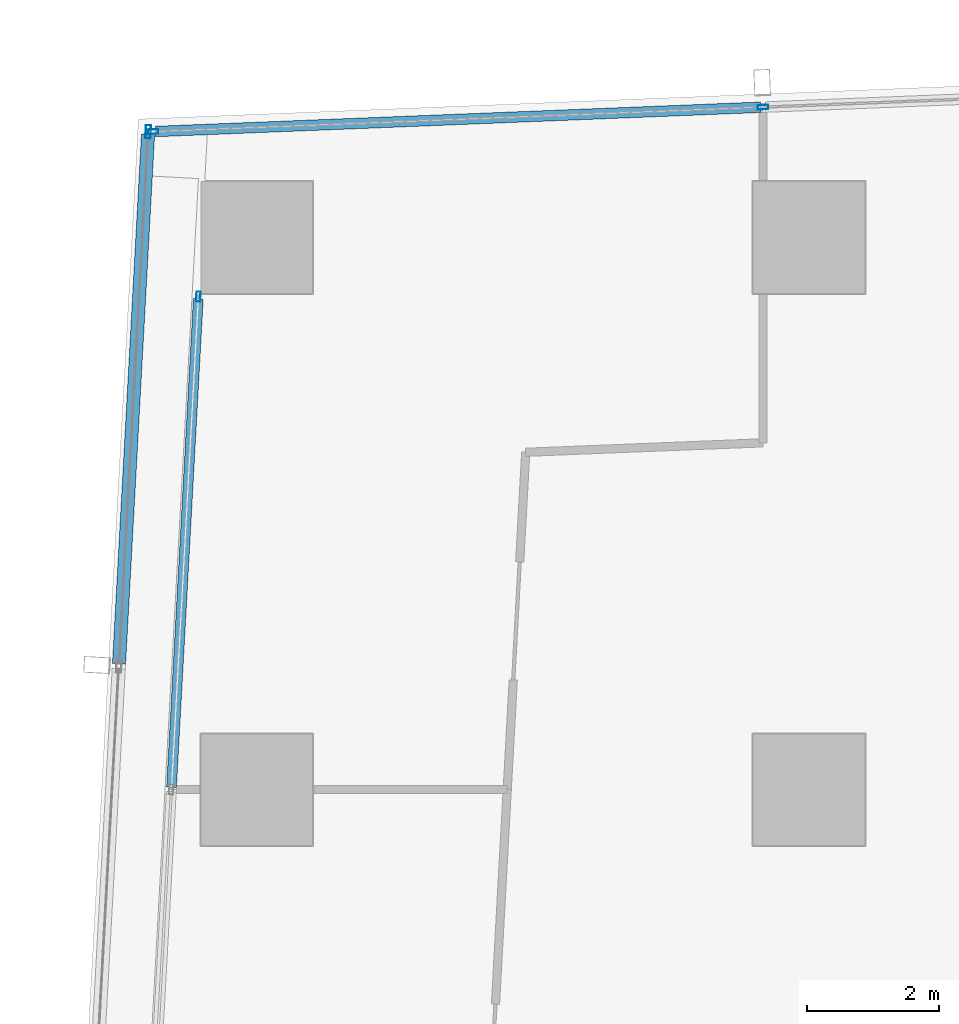
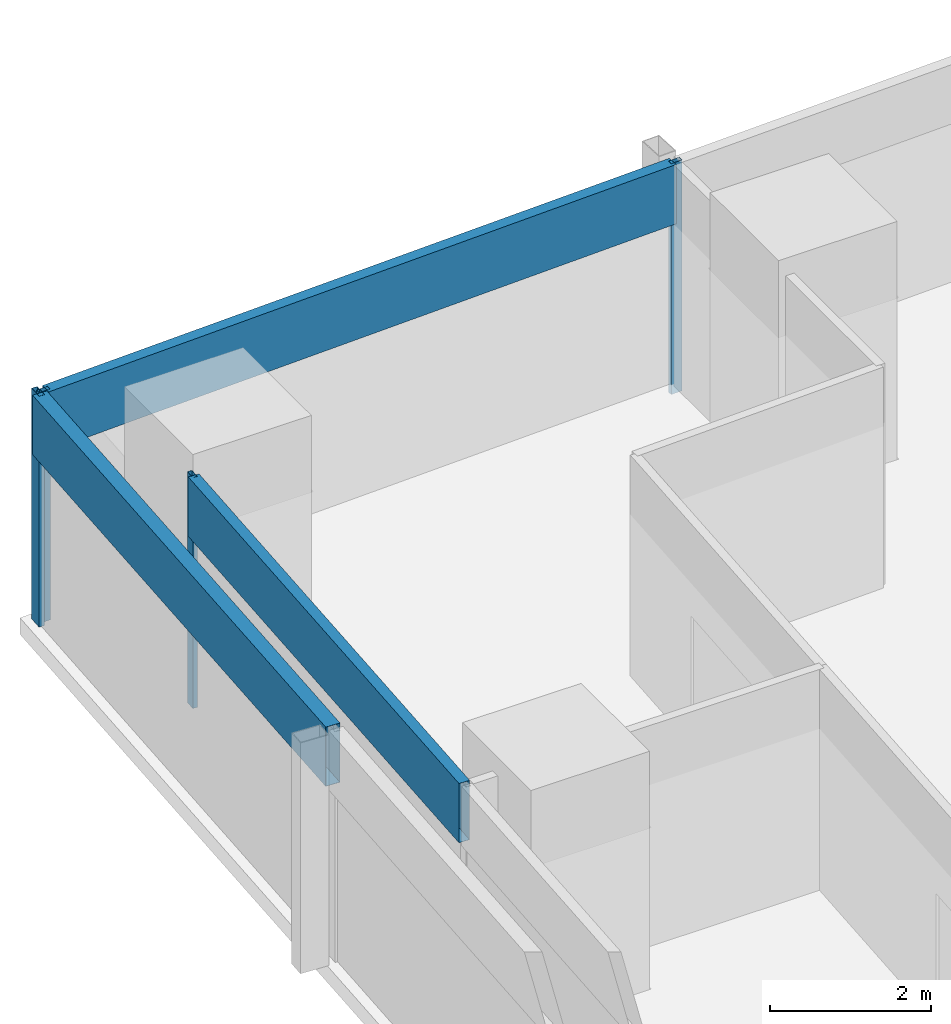
# One storey, part 15 of 40: 7 members, 3 elements without a shape of their own.
"""IFC4 building model written with IfcOpenShell, lengths in metres."""

from ifc_helpers import new_model, si_unit, direction, frame, origin, origin_2d, place, context, subcontext, project, spatial, hollow_rectangle, extrude, material, material_profile, profile_set, type_object, element, aggregate, save


model = new_model("IFC4")

# Units and contexts
model_context = context("Model", 3, precision=1e-05, world=origin(), true_north=direction((0.0, 1.0)))
body_context = subcontext(model_context, "Body", "Model", "MODEL_VIEW")
ifc_project = project(units=[si_unit("LENGTHUNIT", "METRE"), si_unit("AREAUNIT", "SQUARE_METRE"), si_unit("VOLUMEUNIT", "CUBIC_METRE"), si_unit("PLANEANGLEUNIT", "RADIAN"), si_unit("MASSUNIT", "GRAM", prefix="KILO")], contexts=[model_context])

# Site, building, storey
site_placement = place(None, origin())
site = spatial("IfcSite", under=ifc_project, at=site_placement, CompositionType="ELEMENT")
building_placement = place(site_placement, origin())
building = spatial("IfcBuilding", under=site, at=building_placement, Name="Rekha Terrace Tower", CompositionType="ELEMENT")
storey_placement = place(building_placement, frame((0.0, 0.0, 136.550048828125)))
storey = spatial("IfcBuildingStorey", under=building, at=storey_placement, Name="L34", CompositionType="ELEMENT", Elevation=136.550048828125)

# Curtain wall, members
ifc_material_1 = material(Name="Aluminium framing", Category="aluminium")
curtain_wall_type_1 = type_object("IfcCurtainWallType", Name="CW1 double skin inner glazing", PredefinedType="USERDEFINED", material=ifc_material_1)
curtain_wall_1_placement = place(storey_placement, origin())
curtain_wall_1 = element("IfcCurtainWall", 1, at=curtain_wall_1_placement, inside=storey, type_object=curtain_wall_type_1, Name="CW1 double skin inner glazing", ObjectType="DOUBLE SKIN INNER GLAZING", PredefinedType="USERDEFINED")
ifc_material_2 = material(Name="Aluminium mullion section", Category="aluminium")
ifc_material_profile_1 = material_profile(ifc_material_2, hollow_rectangle(XDim=0.06494140625, YDim=0.14990234375, WallThickness=0.00390625, at=origin_2d()), Name="AL RHS 65x150")
ifc_profile_set_1 = profile_set([ifc_material_profile_1], Name="Aluminium mullion section")
member_type_1 = type_object("IfcMemberType", Name="CW1 mullion RHS 65 x 150", PredefinedType="MULLION", material=ifc_profile_set_1)
member_1_placement = place(storey_placement, frame((7.513427734375, 57.8994140625, 0.0), z_axis=(0.0, 0.0, 1.0), x_axis=(0.99850051318, -0.054742352707, 0.0)))
member_1 = element("IfcMember", 2, at=member_1_placement, type_object=member_type_1, Name="CW1 mullion 1", PredefinedType="MULLION", context=body_context, shape_type="SweptSolid", body=[
    extrude(hollow_rectangle(XDim=0.06494140625, YDim=0.14990234375, WallThickness=0.00390625, at=origin_2d()), origin(), (0.0, 0.0, 1.0), 3.5),
])
ifc_material_3 = material(Name="Insulated aluminium spandrel box", Category="aluminium")
ifc_material_profile_2 = material_profile(ifc_material_3, hollow_rectangle(XDim=0.14990234375, YDim=0.89990234375, WallThickness=0.0029296875, at=origin_2d()), Name="AL SPANDREL BOX 150x900")
ifc_profile_set_2 = profile_set([ifc_material_profile_2], Name="Insulated aluminium spandrel box")
member_type_2 = type_object("IfcMemberType", Name="CW1 spandrel transom 150 x 900", PredefinedType="USERDEFINED", material=ifc_profile_set_2)
member_2_placement = place(storey_placement, frame((7.51171875, 57.866943359375, 3.050048828125), z_axis=(-0.054743356699, -0.998500458136, 0.0), x_axis=(0.998500458136, -0.054743356699, 0.0)))
member_2 = element("IfcMember", 3, at=member_2_placement, type_object=member_type_2, Name="CW1 spandrel transom 1", ObjectType="TRANSOM", PredefinedType="USERDEFINED", context=body_context, shape_type="SweptSolid", body=[
    extrude(hollow_rectangle(XDim=0.14990234375, YDim=0.89990234375, WallThickness=0.0029296875, at=origin_2d()), origin(), (0.0, 0.0, 1.0), 7.443359375),
])
aggregate(curtain_wall_1, [member_1, member_2])

curtain_wall_type_2 = type_object("IfcCurtainWallType", Name="CW2 double skin outer glazing", PredefinedType="USERDEFINED", material=ifc_material_1)
curtain_wall_2_placement = place(storey_placement, origin())
curtain_wall_2 = element("IfcCurtainWall", 4, at=curtain_wall_2_placement, inside=storey, type_object=curtain_wall_type_2, Name="CW2 double skin outer glazing", ObjectType="DOUBLE SKIN OUTER GLAZING", PredefinedType="USERDEFINED")
ifc_material_profile_3 = material_profile(ifc_material_2, hollow_rectangle(XDim=0.080078125, YDim=0.199951171875, WallThickness=0.00390625, at=origin_2d()), Name="AL RHS 80x200")
ifc_profile_set_3 = profile_set([ifc_material_profile_3], Name="Aluminium mullion section")
member_type_3 = type_object("IfcMemberType", Name="CW2 mullion RHS 80 x 200", PredefinedType="MULLION", material=ifc_profile_set_3)
member_3_placement = place(storey_placement, frame((6.74951171875, 60.406005859375, 0.0), z_axis=(0.0, 0.0, 1.0), x_axis=(0.99850051318, -0.054742352707, 0.0)))
member_3 = element("IfcMember", 5, at=member_3_placement, type_object=member_type_3, Name="CW2 mullion 1", PredefinedType="MULLION", context=body_context, shape_type="SweptSolid", body=[
    extrude(hollow_rectangle(XDim=0.080078125, YDim=0.199951171875, WallThickness=0.00390625, at=origin_2d()), origin(), (0.0, 0.0, 1.0), 3.5),
])
ifc_material_profile_4 = material_profile(ifc_material_3, hollow_rectangle(XDim=0.199951171875, YDim=0.89990234375, WallThickness=0.0029296875, at=origin_2d()), Name="AL SPANDREL BOX 200x900")
ifc_profile_set_4 = profile_set([ifc_material_profile_4], Name="Insulated aluminium spandrel box")
member_type_4 = type_object("IfcMemberType", Name="CW2 spandrel transom 200 x 900", PredefinedType="USERDEFINED", material=ifc_profile_set_4)
member_4_placement = place(storey_placement, frame((6.747314453125, 60.365966796875, 3.050048828125), z_axis=(-0.054735200093, -0.998500905293, 0.0), x_axis=(0.998500905293, -0.054735200093, 0.0)))
member_4 = element("IfcMember", 6, at=member_4_placement, type_object=member_type_4, Name="CW2 spandrel transom 1", ObjectType="TRANSOM", PredefinedType="USERDEFINED", context=body_context, shape_type="SweptSolid", body=[
    extrude(hollow_rectangle(XDim=0.199951171875, YDim=0.89990234375, WallThickness=0.0029296875, at=origin_2d()), origin(), (0.0, 0.0, 1.0), 8.059814453125),
])
aggregate(curtain_wall_2, [member_3, member_4])

curtain_wall_type_3 = type_object("IfcCurtainWallType", Name="CW3 north unitised glazing", PredefinedType="USERDEFINED", material=ifc_material_1)
curtain_wall_3_placement = place(storey_placement, origin())
curtain_wall_3 = element("IfcCurtainWall", 7, at=curtain_wall_3_placement, inside=storey, type_object=curtain_wall_type_3, Name="CW3 unitised curtain wall", ObjectType="UNITISED CURTAIN WALL", PredefinedType="USERDEFINED")
ifc_material_profile_5 = material_profile(ifc_material_2, hollow_rectangle(XDim=0.070068359375, YDim=0.159912109375, WallThickness=0.00390625, at=origin_2d()), Name="AL RHS 70x160")
ifc_profile_set_5 = profile_set([ifc_material_profile_5], Name="Aluminium mullion section")
member_type_5 = type_object("IfcMemberType", Name="CW3 mullion RHS 70 x 160", PredefinedType="MULLION", material=ifc_profile_set_5)
member_5_placement = place(storey_placement, frame((16.101806640625, 60.780517578125, 0.0), z_axis=(0.0, 0.0, 1.0), x_axis=(0.040031987119, -0.999198398721, 0.0)))
member_5 = element("IfcMember", 8, at=member_5_placement, type_object=member_type_5, Name="CW3 mullion 4", PredefinedType="MULLION", context=body_context, shape_type="SweptSolid", body=[
    extrude(hollow_rectangle(XDim=0.070068359375, YDim=0.159912109375, WallThickness=0.00390625, at=origin_2d()), origin(), (0.0, 0.0, 1.0), 3.5),
])
member_6_placement = place(storey_placement, frame((6.82470703125, 60.408935546875, 0.0), z_axis=(0.0, 0.0, 1.0), x_axis=(0.040031987119, -0.999198398721, 0.0)))
member_6 = element("IfcMember", 9, at=member_6_placement, type_object=member_type_5, Name="CW3 mullion 5", PredefinedType="MULLION", context=body_context, shape_type="SweptSolid", body=[
    extrude(hollow_rectangle(XDim=0.070068359375, YDim=0.159912109375, WallThickness=0.00390625, at=origin_2d()), origin(), (0.0, 0.0, 1.0), 3.5),
])
ifc_material_profile_6 = material_profile(ifc_material_3, hollow_rectangle(XDim=0.159912109375, YDim=0.89990234375, WallThickness=0.0029296875, at=origin_2d()), Name="AL SPANDREL BOX 160x900")
ifc_profile_set_6 = profile_set([ifc_material_profile_6], Name="Insulated aluminium spandrel box")
member_type_6 = type_object("IfcMemberType", Name="CW3 spandrel transom 160 x 900", PredefinedType="USERDEFINED", material=ifc_profile_set_6)
member_7_placement = place(storey_placement, frame((16.06689453125, 60.779052734375, 3.050048828125), z_axis=(-0.999198332483, -0.040033640399, 0.0), x_axis=(0.040033640399, -0.999198332483, 0.0)))
member_7 = element("IfcMember", 10, at=member_7_placement, type_object=member_type_6, Name="CW3 spandrel transom 4", ObjectType="TRANSOM", PredefinedType="USERDEFINED", context=body_context, shape_type="SweptSolid", body=[
    extrude(hollow_rectangle(XDim=0.159912109375, YDim=0.89990234375, WallThickness=0.0029296875, at=origin_2d()), origin(), (0.0, 0.0, 1.0), 9.214599609375),
])
aggregate(curtain_wall_3, [member_5, member_6, member_7])

save(model, "model.ifc")
